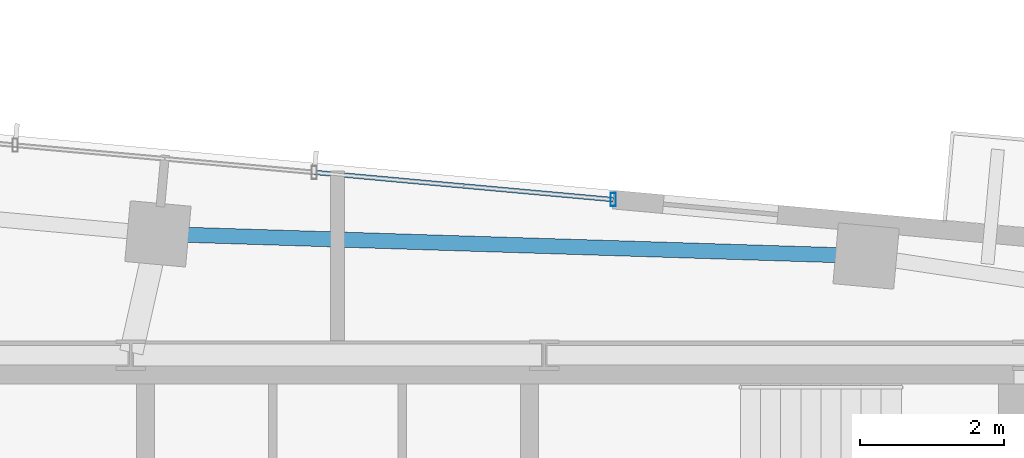
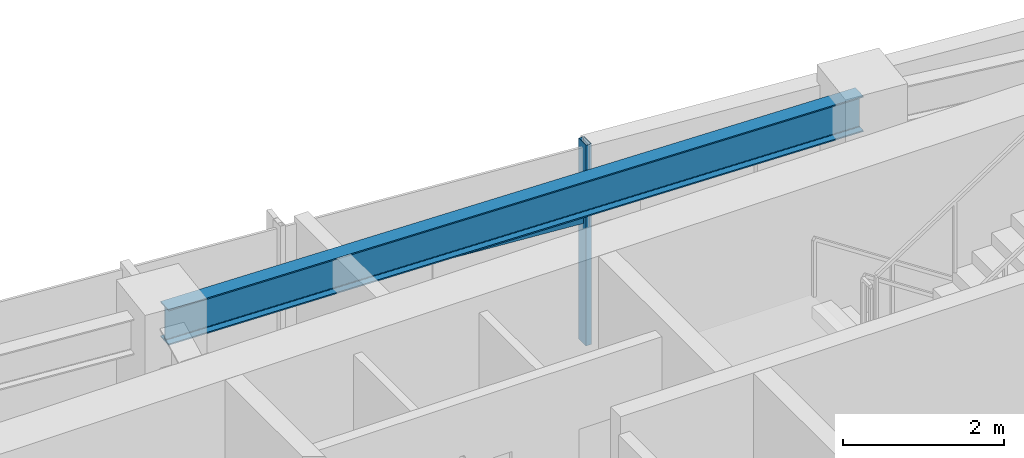
# One storey, part 11 of 22: 2 members, 1 beam, 1 element without a shape of its own.
"""IFC4 building model written with IfcOpenShell, lengths in metres."""

from ifc_helpers import new_model, si_unit, direction, frame, origin, origin_2d, place, context, subcontext, project, spatial, hollow_rectangle, i_section, extrude, source, transform, mapped, material, material_profile, profile_set, type_object, type_shapes, element, aggregate, save


model = new_model("IFC4")

# Units and contexts
model_context = context("Model", 3, precision=1e-05, world=origin(), true_north=direction((0.0, 1.0)))
body_context = subcontext(model_context, "Body", "Model", "MODEL_VIEW")
ifc_project = project(units=[si_unit("LENGTHUNIT", "METRE"), si_unit("AREAUNIT", "SQUARE_METRE"), si_unit("VOLUMEUNIT", "CUBIC_METRE"), si_unit("PLANEANGLEUNIT", "RADIAN"), si_unit("MASSUNIT", "GRAM", prefix="KILO")], contexts=[model_context])

# Site, building, storey
site_placement = place(None, origin())
site = spatial("IfcSite", under=ifc_project, at=site_placement, CompositionType="ELEMENT")
building_placement = place(site_placement, origin())
building = spatial("IfcBuilding", under=site, at=building_placement, Name="Astriad Promenade Condominiums", CompositionType="ELEMENT")
storey_placement = place(building_placement, frame((0.0, 0.0, 246.300048828125)))
storey = spatial("IfcBuildingStorey", under=building, at=storey_placement, Name="L71", CompositionType="ELEMENT", Elevation=246.300048828125)

# Beam
ifc_material_1 = material(Name="Steel ASTM A992 Grade 50", Category="steel")
ifc_material_profile_1 = material_profile(ifc_material_1, i_section(OverallWidth=0.210693359375, OverallDepth=0.53955078125, WebThickness=0.01171875, FlangeThickness=0.018798828125, FilletRadius=0.0166015625, at=origin_2d()), Name="W21X73")
ifc_profile_set_1 = profile_set([ifc_material_profile_1], Name="Steel ASTM A992 Grade 50")
beam_type = type_object("IfcBeamType", Name="STEEL SPANDREL BEAM W21X73", PredefinedType="SPANDREL", material=ifc_profile_set_1)
shared_shape_1 = source(origin(), body_context, "Body", "SweptSolid", [
    extrude(i_section(OverallWidth=0.210693359375, OverallDepth=0.53955078125, WebThickness=0.01171875, FlangeThickness=0.018798828125, FilletRadius=0.0166015625, at=origin_2d()), origin(), (0.0, 0.0, 1.0), 9.783935546875),
])
type_shapes(beam_type, [shared_shape_1])
beam_placement = place(storey_placement, frame((43.31884765625, 25.381103515625, 2.770263671875), z_axis=(-0.999511077438, 0.031266692798, 0.0), x_axis=(-0.031266692798, -0.999511077438, 0.0)))
element("IfcBeam", 1, at=beam_placement, inside=storey, type_object=beam_type, Name="Perimeter Spandrel Beam SP-N3-L71", PredefinedType="SPANDREL", context=body_context, shape_type="MappedRepresentation", body=[
    mapped(shared_shape_1, transform((0.0, 0.0, 0.0), scale=1.0)),
])

# Curtain wall, members
ifc_material_2 = material(Name="Anodised aluminium Black Dark Glass Unitised", Category="aluminium")
curtain_wall_type = type_object("IfcCurtainWallType", Name="CW-B5-DARK", PredefinedType="USERDEFINED", material=ifc_material_2)
curtain_wall_placement = place(storey_placement, origin())
curtain_wall = element("IfcCurtainWall", 2, at=curtain_wall_placement, inside=storey, type_object=curtain_wall_type, Name="CW-L71-N", ObjectType="UNITISED_CURTAIN_WALL", PredefinedType="USERDEFINED")
ifc_material_3 = material(Name="Anodised aluminium 6063-T6 Black", Category="aluminium")
ifc_material_profile_2 = material_profile(ifc_material_3, hollow_rectangle(XDim=0.06494140625, YDim=0.1298828125, WallThickness=0.00390625, at=origin_2d()), Name="ALU-TRN-65X130")
ifc_profile_set_2 = profile_set([ifc_material_profile_2], Name="Anodised aluminium 6063-T6 Black")
member_type_1 = type_object("IfcMemberType", Name="TRN-ALU-TRN-65X130", PredefinedType="USERDEFINED", material=ifc_profile_set_2)
shared_shape_2 = source(origin(), body_context, "Body", "SweptSolid", [
    extrude(hollow_rectangle(XDim=0.06494140625, YDim=0.1298828125, WallThickness=0.00390625, at=origin_2d()), origin(), (0.0, 0.0, 1.0), 4.179931640625),
])
type_shapes(member_type_1, [shared_shape_2])
member_1_placement = place(storey_placement, frame((35.67626953125, 26.54443359375, 1.884765625), z_axis=(0.995883146811, -0.090646334165, 0.0), x_axis=(0.090646334165, 0.995883146811, 0.0)))
member_1 = element("IfcMember", 3, at=member_1_placement, type_object=member_type_1, Name="CW-L71-N-TRN-02-0", ObjectType="TRANSOM", PredefinedType="USERDEFINED", context=body_context, shape_type="MappedRepresentation", body=[
    mapped(shared_shape_2, transform((0.0, 0.0, 0.0), scale=1.0)),
])
ifc_material_profile_3 = material_profile(ifc_material_3, hollow_rectangle(XDim=0.074951171875, YDim=0.18505859375, WallThickness=0.00439453125, at=origin_2d()), Name="ALU-MUL-75X185")
ifc_profile_set_3 = profile_set([ifc_material_profile_3], Name="Anodised aluminium 6063-T6 Black")
member_type_2 = type_object("IfcMemberType", Name="MUL-ALU-MUL-75X185", PredefinedType="MULLION", material=ifc_profile_set_3)
shared_shape_3 = source(origin(), body_context, "Body", "SweptSolid", [
    extrude(hollow_rectangle(XDim=0.074951171875, YDim=0.18505859375, WallThickness=0.00439453125, at=origin_2d()), origin(), (0.0, 0.0, 1.0), 3.0400390625),
])
type_shapes(member_type_2, [shared_shape_3])
member_2_placement = place(storey_placement, frame((39.839111328125, 26.16552734375, 0.0), z_axis=(0.0, 0.0, 1.0), x_axis=(1.0, 0.0, 0.0)))
member_2 = element("IfcMember", 4, at=member_2_placement, type_object=member_type_2, Name="CW-L71-N-MUL-03", PredefinedType="MULLION", context=body_context, shape_type="MappedRepresentation", body=[
    mapped(shared_shape_3, transform((0.0, 0.0, 0.0), scale=1.0)),
])
aggregate(curtain_wall, [member_2, member_1])

save(model, "model.ifc")
